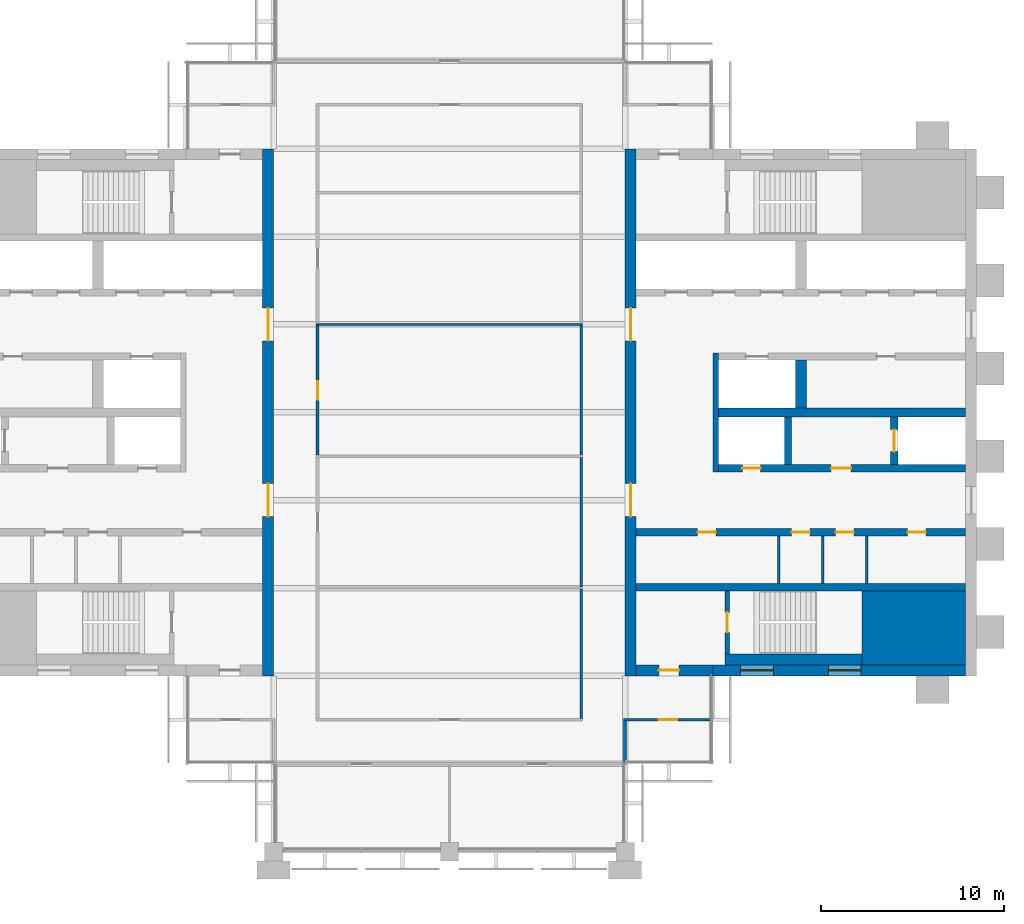
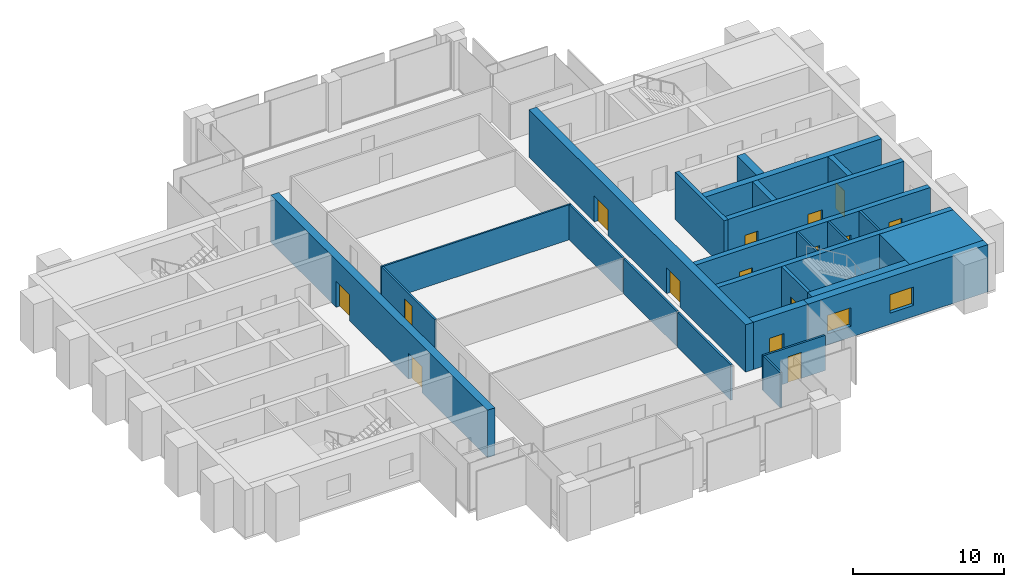
# One storey, part 9 of 12: 25 walls, 15 doors, 2 windows, 17 openings.
"""IFC4 building model written with IfcOpenShell, lengths in metres."""

from ifc_helpers import new_model, si_unit, direction, frame, frame_2d, origin, place, context, subcontext, project, spatial, rectangle, extrude, material, layer, layer_set, type_object, element, fill, save


model = new_model("IFC4")

# Units and contexts
model_context = context("Model", 3, precision=1e-05, world=origin(), true_north=direction((0.0, 1.0)))
body_context = subcontext(model_context, "Body", "Model", "MODEL_VIEW")
ifc_project = project(units=[si_unit("LENGTHUNIT", "METRE"), si_unit("AREAUNIT", "SQUARE_METRE"), si_unit("VOLUMEUNIT", "CUBIC_METRE"), si_unit("PLANEANGLEUNIT", "RADIAN"), si_unit("MASSUNIT", "GRAM", prefix="KILO")], contexts=[model_context])

# Site, building, storey
site_placement = place(None, origin())
site = spatial("IfcSite", under=ifc_project, at=site_placement, CompositionType="ELEMENT")
building_placement = place(site_placement, origin())
building = spatial("IfcBuilding", under=site, at=building_placement, Name="Baori Bourse Tower", CompositionType="ELEMENT")
storey_placement = place(building_placement, frame((0.0, 0.0, 322.300048828125)))
storey = spatial("IfcBuildingStorey", under=building, at=storey_placement, Name="L71", CompositionType="ELEMENT", Elevation=322.300048828125)

# Walls
ifc_material_1 = material(Name="Concrete f'c 40 MPa", Category="concrete")
wall_type_1 = type_object("IfcWallType", Name="Core corner block f'c 40", PredefinedType="SHEAR", material=ifc_material_1)
wall_1_placement = place(storey_placement, frame((51.35009765625, 12.22509765625, 0.0), z_axis=(0.0, 0.0, 1.0), x_axis=(1.0, 0.0, 0.0)))
element("IfcWall", 1, at=wall_1_placement, inside=storey, type_object=wall_type_1, Name="Core wall E05", PredefinedType="SHEAR", context=body_context, shape_type="SweptSolid", body=[
    extrude(rectangle(XDim=5.64990234375, YDim=4.050048828125, at=frame_2d((2.824951171875, 0.0))), origin(), (0.0, 0.0, 1.0), 3.83984375),
])
ifc_material_2 = material(Name="Blockwork partition", Category="masonry")
ifc_layer_1 = layer(ifc_material_2, 0.14990234375)
ifc_layer_set_1 = layer_set([ifc_layer_1], Name="Core partition 150")
wall_type_2 = type_object("IfcWallType", Name="Core partition 150", PredefinedType="PARTITIONING", material=ifc_layer_set_1)
for number, where, z_axis, x_axis, name in (
    (2, (51.60009765625, 14.64990234375, 0.0), (0.0, 0.0, 1.0), (0.0, 1.0, 0.0), "Partition wall E09"),
    (3, (49.199951171875, 14.64990234375, 0.0), (0.0, 0.0, 1.0), (0.0, 1.0, 0.0), "Partition wall E10"),
    (4, (46.800048828125, 14.64990234375, 0.0), (0.0, 0.0, 1.0), (0.0, 1.0, 0.0), "Partition wall E11"),
):
    element("IfcWall", number, at=place(storey_placement, frame(where, z_axis=z_axis, x_axis=x_axis)), inside=storey, type_object=wall_type_2, Name=name, PredefinedType="PARTITIONING", context=body_context, shape_type="SweptSolid", body=[
        extrude(rectangle(XDim=2.60009765625, YDim=0.14990234375, at=frame_2d((1.300048828125, 0.0))), origin(), (0.0, 0.0, 1.0), 3.83984375),
    ])

# Wall, openings, doors
ifc_material_3 = material(Name="Concrete f'c 40 MPa", Category="concrete")
ifc_layer_2 = layer(ifc_material_3, 0.60009765625)
ifc_layer_set_2 = layer_set([ifc_layer_2], Name="Core wall 600 f'c 40")
wall_type_3 = type_object("IfcWallType", Name="Core wall 600 f'c 40", PredefinedType="SHEAR", material=ifc_layer_set_2)
wall_2_placement = place(storey_placement, frame((18.89990234375, 38.39990234375, 0.0), z_axis=(0.0, 0.0, 1.0), x_axis=(0.0, -1.0, 0.0)))
wall_2 = element("IfcWall", 5, at=wall_2_placement, inside=storey, type_object=wall_type_3, Name="Core wall W04", PredefinedType="SHEAR", context=body_context, shape_type="SweptSolid", body=[
    extrude(rectangle(XDim=28.7998046875, YDim=0.60009765625, at=frame_2d((14.39990234375, 0.0))), origin(), (0.0, 0.0, 1.0), 3.83984375),
])
opening_1_placement = place(wall_2_placement, frame((18.300048828125, 0.0, 0.0)))
opening_1 = element("IfcOpeningElement", 6, at=opening_1_placement, cuts=wall_2, Name="Opening L71-D107", PredefinedType="OPENING", context=body_context, shape_type="SweptSolid", body=[
    extrude(rectangle(XDim=1.800048828125, YDim=2.10009765625, at=frame_2d((0.89990234375, 1.050048828125))), frame((0.0, 0.31005859375, 0.0), z_axis=(0.0, -1.0, 0.0), x_axis=(1.0, 0.0, 0.0)), (0.0, 0.0, 1.0), 0.6201171875),
])
opening_2_placement = place(wall_2_placement, frame((8.699951171875, 0.0, 0.0)))
opening_2 = element("IfcOpeningElement", 7, at=opening_2_placement, cuts=wall_2, Name="Opening L71-D108", PredefinedType="OPENING", context=body_context, shape_type="SweptSolid", body=[
    extrude(rectangle(XDim=1.800048828125, YDim=2.10009765625, at=frame_2d((0.89990234375, 1.050048828125))), frame((0.0, 0.31005859375, 0.0), z_axis=(0.0, -1.0, 0.0), x_axis=(1.0, 0.0, 0.0)), (0.0, 0.0, 1.0), 0.6201171875),
])
ifc_material_4 = material(Name="Painted steel door", Category="steel")
door_type_1 = type_object("IfcDoorType", Name="Core lobby door 1800", OperationType="DOUBLE_DOOR_SINGLE_SWING", PredefinedType="DOOR", material=ifc_material_4)
door_1_placement = place(opening_1_placement, origin())
door_1 = element("IfcDoor", 8, at=door_1_placement, inside=storey, type_object=door_type_1, Name="Lobby door W L71", OperationType="DOUBLE_DOOR_SINGLE_SWING", OverallHeight=2.10009765625, OverallWidth=1.800048828125, PredefinedType="DOOR", context=body_context, shape_type="SweptSolid", body=[
    extrude(rectangle(XDim=1.800048828125, YDim=2.10009765625, at=frame_2d((0.89990234375, 1.050048828125))), frame((0.0, 0.02490234375, 0.0), z_axis=(0.0, -1.0, 0.0), x_axis=(1.0, 0.0, 0.0)), (0.0, 0.0, 1.0), 0.050048828125),
])
fill(opening_1, door_1)
door_2_placement = place(opening_2_placement, origin())
door_2 = element("IfcDoor", 9, at=door_2_placement, inside=storey, type_object=door_type_1, Name="Lobby door W L71", OperationType="DOUBLE_DOOR_SINGLE_SWING", OverallHeight=2.10009765625, OverallWidth=1.800048828125, PredefinedType="DOOR", context=body_context, shape_type="SweptSolid", body=[
    extrude(rectangle(XDim=1.800048828125, YDim=2.10009765625, at=frame_2d((0.89990234375, 1.050048828125))), frame((0.0, 0.02490234375, 0.0), z_axis=(0.0, -1.0, 0.0), x_axis=(1.0, 0.0, 0.0)), (0.0, 0.0, 1.0), 0.050048828125),
])
fill(opening_2, door_2)

# Wall, openings, windows
wall_3_placement = place(storey_placement, frame((57.0, 9.89990234375, 0.0), z_axis=(0.0, 0.0, 1.0), x_axis=(-1.0, 0.0, 0.0)))
wall_3 = element("IfcWall", 10, at=wall_3_placement, inside=storey, type_object=wall_type_3, Name="Core wall E02", PredefinedType="SHEAR", context=body_context, shape_type="SweptSolid", body=[
    extrude(rectangle(XDim=13.800048828125, YDim=0.60009765625, at=frame_2d((6.89990234375, 0.0))), origin(), (0.0, 0.0, 1.0), 3.83984375),
])
opening_3_placement = place(wall_3_placement, frame((5.699951171875, 0.0, 0.89990234375)))
opening_3 = element("IfcOpeningElement", 11, at=opening_3_placement, cuts=wall_3, Name="Opening L71-KW203", PredefinedType="OPENING", context=body_context, shape_type="SweptSolid", body=[
    extrude(rectangle(XDim=1.800048828125, YDim=1.5, at=frame_2d((0.89990234375, 0.75))), frame((0.0, 0.31005859375, 0.0), z_axis=(0.0, -1.0, 0.0), x_axis=(1.0, 0.0, 0.0)), (0.0, 0.0, 1.0), 0.6201171875),
])
opening_4_placement = place(wall_3_placement, frame((10.5, 0.0, 0.89990234375)))
opening_4 = element("IfcOpeningElement", 12, at=opening_4_placement, cuts=wall_3, Name="Opening L71-KW204", PredefinedType="OPENING", context=body_context, shape_type="SweptSolid", body=[
    extrude(rectangle(XDim=1.800048828125, YDim=1.5, at=frame_2d((0.89990234375, 0.75))), frame((0.0, 0.31005859375, 0.0), z_axis=(0.0, -1.0, 0.0), x_axis=(1.0, 0.0, 0.0)), (0.0, 0.0, 1.0), 0.6201171875),
])
ifc_material_5 = material(Name="Pale anodised aluminium", Category="aluminium")
window_type = type_object("IfcWindowType", Name="Stair window 1800 x 1500", PartitioningType="SINGLE_PANEL", PredefinedType="WINDOW", material=ifc_material_5)
window_1_placement = place(opening_3_placement, origin())
window_1 = element("IfcWindow", 13, at=window_1_placement, inside=storey, type_object=window_type, Name="Stair window E L71 3", OverallHeight=1.5, OverallWidth=1.800048828125, PartitioningType="SINGLE_PANEL", PredefinedType="WINDOW", context=body_context, shape_type="SweptSolid", body=[
    extrude(rectangle(XDim=1.800048828125, YDim=1.5, at=frame_2d((0.89990234375, 0.75))), frame((0.0, 0.030029296875, 0.0), z_axis=(0.0, -1.0, 0.0), x_axis=(1.0, 0.0, 0.0)), (0.0, 0.0, 1.0), 0.06005859375),
])
fill(opening_3, window_1)
window_2_placement = place(opening_4_placement, origin())
window_2 = element("IfcWindow", 14, at=window_2_placement, inside=storey, type_object=window_type, Name="Stair window E L71 4", OverallHeight=1.5, OverallWidth=1.800048828125, PartitioningType="SINGLE_PANEL", PredefinedType="WINDOW", context=body_context, shape_type="SweptSolid", body=[
    extrude(rectangle(XDim=1.800048828125, YDim=1.5, at=frame_2d((0.89990234375, 0.75))), frame((0.0, 0.030029296875, 0.0), z_axis=(0.0, -1.0, 0.0), x_axis=(1.0, 0.0, 0.0)), (0.0, 0.0, 1.0), 0.06005859375),
])
fill(opening_4, window_2)

# Wall, opening, door
wall_4_placement = place(storey_placement, frame((43.199951171875, 9.89990234375, 0.0), z_axis=(0.0, 0.0, 1.0), x_axis=(-1.0, 0.0, 0.0)))
wall_4 = element("IfcWall", 15, at=wall_4_placement, inside=storey, type_object=wall_type_3, Name="Core wall E03", PredefinedType="SHEAR", context=body_context, shape_type="SweptSolid", body=[
    extrude(rectangle(XDim=4.199951171875, YDim=0.60009765625, at=frame_2d((2.10009765625, 0.0))), origin(), (0.0, 0.0, 1.0), 3.83984375),
])
opening_5_placement = place(wall_4_placement, frame((1.85009765625, 0.0, 0.0)))
opening_5 = element("IfcOpeningElement", 16, at=opening_5_placement, cuts=wall_4, Name="Opening L71-D202", PredefinedType="OPENING", context=body_context, shape_type="SweptSolid", body=[
    extrude(rectangle(XDim=1.10009765625, YDim=2.10009765625, at=frame_2d((0.550048828125, 1.050048828125))), frame((0.0, 0.31005859375, 0.0), z_axis=(0.0, -1.0, 0.0), x_axis=(1.0, 0.0, 0.0)), (0.0, 0.0, 1.0), 0.6201171875),
])
ifc_material_6 = material(Name="Painted steel door", Category="steel")
door_type_2 = type_object("IfcDoorType", Name="Stair door 1100", OperationType="SINGLE_SWING_LEFT", PredefinedType="DOOR", material=ifc_material_6)
door_3_placement = place(opening_5_placement, origin())
door_3 = element("IfcDoor", 17, at=door_3_placement, inside=storey, type_object=door_type_2, Name="Stair vestibule door A E L71", OperationType="SINGLE_SWING_LEFT", OverallHeight=2.10009765625, OverallWidth=1.10009765625, PredefinedType="DOOR", context=body_context, shape_type="SweptSolid", body=[
    extrude(rectangle(XDim=1.10009765625, YDim=2.10009765625, at=frame_2d((0.550048828125, 1.050048828125))), frame((0.0, 0.02490234375, 0.0), z_axis=(0.0, -1.0, 0.0), x_axis=(1.0, 0.0, 0.0)), (0.0, 0.0, 1.0), 0.050048828125),
])
fill(opening_5, door_3)

# Wall, openings, doors
wall_5_placement = place(storey_placement, frame((38.699951171875, 9.60009765625, 0.0), z_axis=(0.0, 0.0, 1.0), x_axis=(0.0, 1.0, 0.0)))
wall_5 = element("IfcWall", 18, at=wall_5_placement, inside=storey, type_object=wall_type_3, Name="Core wall E04", PredefinedType="SHEAR", context=body_context, shape_type="SweptSolid", body=[
    extrude(rectangle(XDim=28.7998046875, YDim=0.60009765625, at=frame_2d((14.39990234375, 0.0))), origin(), (0.0, 0.0, 1.0), 3.83984375),
])
opening_6_placement = place(wall_5_placement, frame((8.699951171875, 0.0, 0.0)))
opening_6 = element("IfcOpeningElement", 19, at=opening_6_placement, cuts=wall_5, Name="Opening L71-D207", PredefinedType="OPENING", context=body_context, shape_type="SweptSolid", body=[
    extrude(rectangle(XDim=1.800048828125, YDim=2.10009765625, at=frame_2d((0.89990234375, 1.050048828125))), frame((0.0, 0.31005859375, 0.0), z_axis=(0.0, -1.0, 0.0), x_axis=(1.0, 0.0, 0.0)), (0.0, 0.0, 1.0), 0.6201171875),
])
opening_7_placement = place(wall_5_placement, frame((18.300048828125, 0.0, 0.0)))
opening_7 = element("IfcOpeningElement", 20, at=opening_7_placement, cuts=wall_5, Name="Opening L71-D208", PredefinedType="OPENING", context=body_context, shape_type="SweptSolid", body=[
    extrude(rectangle(XDim=1.800048828125, YDim=2.10009765625, at=frame_2d((0.89990234375, 1.050048828125))), frame((0.0, 0.31005859375, 0.0), z_axis=(0.0, -1.0, 0.0), x_axis=(1.0, 0.0, 0.0)), (0.0, 0.0, 1.0), 0.6201171875),
])
door_4_placement = place(opening_6_placement, origin())
door_4 = element("IfcDoor", 21, at=door_4_placement, inside=storey, type_object=door_type_1, Name="Lobby door E L71", OperationType="DOUBLE_DOOR_SINGLE_SWING", OverallHeight=2.10009765625, OverallWidth=1.800048828125, PredefinedType="DOOR", context=body_context, shape_type="SweptSolid", body=[
    extrude(rectangle(XDim=1.800048828125, YDim=2.10009765625, at=frame_2d((0.89990234375, 1.050048828125))), frame((0.0, 0.02490234375, 0.0), z_axis=(0.0, -1.0, 0.0), x_axis=(1.0, 0.0, 0.0)), (0.0, 0.0, 1.0), 0.050048828125),
])
fill(opening_6, door_4)
door_5_placement = place(opening_7_placement, origin())
door_5 = element("IfcDoor", 22, at=door_5_placement, inside=storey, type_object=door_type_1, Name="Lobby door E L71", OperationType="DOUBLE_DOOR_SINGLE_SWING", OverallHeight=2.10009765625, OverallWidth=1.800048828125, PredefinedType="DOOR", context=body_context, shape_type="SweptSolid", body=[
    extrude(rectangle(XDim=1.800048828125, YDim=2.10009765625, at=frame_2d((0.89990234375, 1.050048828125))), frame((0.0, 0.02490234375, 0.0), z_axis=(0.0, -1.0, 0.0), x_axis=(1.0, 0.0, 0.0)), (0.0, 0.0, 1.0), 0.050048828125),
])
fill(opening_7, door_5)

# Wall, opening, door
ifc_material_7 = material(Name="Gypsum board partition")
ifc_layer_3 = layer(ifc_material_7, 0.14990234375)
ifc_layer_set_3 = layer_set([ifc_layer_3], Name="Corridor partition 150")
wall_type_4 = type_object("IfcWallType", Name="Corridor partition 150", PredefinedType="PARTITIONING", material=ifc_layer_set_3)
wall_6_placement = place(storey_placement, frame((38.324951171875, 7.199951171875, 0.0), z_axis=(0.0, 0.0, 1.0), x_axis=(1.0, 0.0, 0.0)))
wall_6 = element("IfcWall", 23, at=wall_6_placement, inside=storey, type_object=wall_type_4, Name="Partition", PredefinedType="PARTITIONING", context=body_context, shape_type="SweptSolid", body=[
    extrude(rectangle(XDim=4.775146484375, YDim=0.14990234375, at=frame_2d((2.3876953125, 0.0))), origin(), (0.0, 0.0, 1.0), 2.849365234375),
])
opening_8_placement = place(wall_6_placement, frame((1.925048828125, 0.0, 0.0)))
opening_8 = element("IfcOpeningElement", 24, at=opening_8_placement, cuts=wall_6, Name="Opening L71-D05", PredefinedType="OPENING", context=body_context, shape_type="SweptSolid", body=[
    extrude(rectangle(XDim=1.0, YDim=2.10009765625, at=frame_2d((0.5, 1.050048828125))), frame((0.0, 0.0849609375, 0.0), z_axis=(0.0, -1.0, 0.0), x_axis=(1.0, 0.0, 0.0)), (0.0, 0.0, 1.0), 0.169921875),
])
ifc_material_8 = material(Name="Timber door leaf", Category="wood")
door_type_3 = type_object("IfcDoorType", Name="Door 1000 x 2100", OperationType="SINGLE_SWING_LEFT", PredefinedType="DOOR", material=ifc_material_8)
door_6_placement = place(opening_8_placement, origin())
door_6 = element("IfcDoor", 25, at=door_6_placement, inside=storey, type_object=door_type_3, Name="Door", OperationType="SINGLE_SWING_RIGHT", OverallHeight=2.10009765625, OverallWidth=1.0, PredefinedType="DOOR", context=body_context, shape_type="SweptSolid", body=[
    extrude(rectangle(XDim=1.0, YDim=2.10009765625, at=frame_2d((0.5, 1.050048828125))), frame((0.0, 0.02490234375, 0.0), z_axis=(0.0, -1.0, 0.0), x_axis=(1.0, 0.0, 0.0)), (0.0, 0.0, 1.0), 0.050048828125),
])
fill(opening_8, door_6)

wall_7_placement = place(storey_placement, frame((21.60009765625, 21.66259765625, 0.0), z_axis=(0.0, 0.0, 1.0), x_axis=(0.0, 1.0, 0.0)))
wall_7 = element("IfcWall", 26, at=wall_7_placement, inside=storey, type_object=wall_type_4, Name="Partition", PredefinedType="PARTITIONING", context=body_context, shape_type="SweptSolid", body=[
    extrude(rectangle(XDim=7.074951171875, YDim=0.14990234375, at=frame_2d((3.53759765625, 0.0))), origin(), (0.0, 0.0, 1.0), 2.849365234375),
])
opening_9_placement = place(wall_7_placement, frame((3.03759765625, 0.0, 0.0)))
opening_9 = element("IfcOpeningElement", 27, at=opening_9_placement, cuts=wall_7, Name="Opening L71-D11", PredefinedType="OPENING", context=body_context, shape_type="SweptSolid", body=[
    extrude(rectangle(XDim=1.0, YDim=2.10009765625, at=frame_2d((0.5, 1.050048828125))), frame((0.0, 0.0849609375, 0.0), z_axis=(0.0, -1.0, 0.0), x_axis=(1.0, 0.0, 0.0)), (0.0, 0.0, 1.0), 0.169921875),
])
door_7_placement = place(opening_9_placement, origin())
door_7 = element("IfcDoor", 28, at=door_7_placement, inside=storey, type_object=door_type_3, Name="Door", OperationType="SINGLE_SWING_LEFT", OverallHeight=2.10009765625, OverallWidth=1.0, PredefinedType="DOOR", context=body_context, shape_type="SweptSolid", body=[
    extrude(rectangle(XDim=1.0, YDim=2.10009765625, at=frame_2d((0.5, 1.050048828125))), frame((0.0, 0.02490234375, 0.0), z_axis=(0.0, -1.0, 0.0), x_axis=(1.0, 0.0, 0.0)), (0.0, 0.0, 1.0), 0.050048828125),
])
fill(opening_9, door_7)

# Walls
wall_8_placement = place(storey_placement, frame((36.0, 7.27490234375, 0.0), z_axis=(0.0, 0.0, 1.0), x_axis=(0.0, 1.0, 0.0)))
element("IfcWall", 29, at=wall_8_placement, inside=storey, type_object=wall_type_4, Name="Partition", PredefinedType="PARTITIONING", context=body_context, shape_type="SweptSolid", body=[
    extrude(rectangle(XDim=7.0625, YDim=0.14990234375, at=frame_2d((3.53125, 0.0))), origin(), (0.0, 0.0, 1.0), 2.849365234375),
])
wall_9_placement = place(storey_placement, frame((36.0, 14.46240234375, 0.0), z_axis=(0.0, 0.0, 1.0), x_axis=(0.0, 1.0, 0.0)))
element("IfcWall", 30, at=wall_9_placement, inside=storey, type_object=wall_type_4, Name="Partition", PredefinedType="PARTITIONING", context=body_context, shape_type="SweptSolid", body=[
    extrude(rectangle(XDim=7.0751953125, YDim=0.14990234375, at=frame_2d((3.53759765625, 0.0))), origin(), (0.0, 0.0, 1.0), 2.849365234375),
])
wall_10_placement = place(storey_placement, frame((36.0, 21.66259765625, 0.0), z_axis=(0.0, 0.0, 1.0), x_axis=(0.0, 1.0, 0.0)))
element("IfcWall", 31, at=wall_10_placement, inside=storey, type_object=wall_type_4, Name="Partition", PredefinedType="PARTITIONING", context=body_context, shape_type="SweptSolid", body=[
    extrude(rectangle(XDim=7.074951171875, YDim=0.14990234375, at=frame_2d((3.53759765625, 0.0))), origin(), (0.0, 0.0, 1.0), 2.849365234375),
])
wall_11_placement = place(storey_placement, frame((38.39990234375, 4.875, 0.0), z_axis=(0.0, 0.0, 1.0), x_axis=(0.0, 1.0, 0.0)))
element("IfcWall", 32, at=wall_11_placement, inside=storey, type_object=wall_type_4, Name="Partition", PredefinedType="PARTITIONING", context=body_context, shape_type="SweptSolid", body=[
    extrude(rectangle(XDim=2.25, YDim=0.14990234375, at=frame_2d((1.125, 0.0))), origin(), (0.0, 0.0, 1.0), 2.849365234375),
])
ifc_material_9 = material(Name="Gypsum board partition")
ifc_layer_4 = layer(ifc_material_9, 0.125)
ifc_layer_set_4 = layer_set([ifc_layer_4], Name="Partition 125")
wall_type_5 = type_object("IfcWallType", Name="Partition 125", PredefinedType="PARTITIONING", material=ifc_layer_set_4)
wall_12_placement = place(storey_placement, frame((21.52490234375, 28.800048828125, 0.0), z_axis=(0.0, 0.0, 1.0), x_axis=(1.0, 0.0, 0.0)))
element("IfcWall", 33, at=wall_12_placement, inside=storey, type_object=wall_type_5, Name="Partition", PredefinedType="PARTITIONING", context=body_context, shape_type="SweptSolid", body=[
    extrude(rectangle(XDim=14.550048828125, YDim=0.125, at=frame_2d((7.27490234375, 0.0))), origin(), (0.0, 0.0, 1.0), 2.849365234375),
])

# Wall, opening, door
ifc_material_10 = material(Name="Concrete f'c 40 MPa", Category="concrete")
ifc_layer_5 = layer(ifc_material_10, 0.25)
ifc_layer_set_5 = layer_set([ifc_layer_5], Name="Shaft wall 250 f'c 40")
wall_type_6 = type_object("IfcWallType", Name="Shaft wall 250 f'c 40", PredefinedType="SHEAR", material=ifc_layer_set_5)
wall_13_placement = place(storey_placement, frame((43.97509765625, 10.800048828125, 0.0), z_axis=(0.0, 0.0, 1.0), x_axis=(0.0, 1.0, 0.0)))
wall_13 = element("IfcWall", 34, at=wall_13_placement, inside=storey, type_object=wall_type_6, Name="Core wall E07", PredefinedType="SHEAR", context=body_context, shape_type="SweptSolid", body=[
    extrude(rectangle(XDim=3.449951171875, YDim=0.25, at=frame_2d((1.72509765625, 0.0))), origin(), (0.0, 0.0, 1.0), 3.83984375),
])
opening_10_placement = place(wall_13_placement, frame((1.175048828125, 0.0, 0.0)))
opening_10 = element("IfcOpeningElement", 35, at=opening_10_placement, cuts=wall_13, Name="Opening L71-D201", PredefinedType="OPENING", context=body_context, shape_type="SweptSolid", body=[
    extrude(rectangle(XDim=1.10009765625, YDim=2.10009765625, at=frame_2d((0.550048828125, 1.050048828125))), frame((0.0, 0.135009765625, 0.0), z_axis=(0.0, -1.0, 0.0), x_axis=(1.0, 0.0, 0.0)), (0.0, 0.0, 1.0), 0.27001953125),
])
door_8_placement = place(opening_10_placement, origin())
door_8 = element("IfcDoor", 36, at=door_8_placement, inside=storey, type_object=door_type_2, Name="Stair door A E L71", OperationType="SINGLE_SWING_LEFT", OverallHeight=2.10009765625, OverallWidth=1.10009765625, PredefinedType="DOOR", context=body_context, shape_type="SweptSolid", body=[
    extrude(rectangle(XDim=1.10009765625, YDim=2.10009765625, at=frame_2d((0.550048828125, 1.050048828125))), frame((0.0, 0.02490234375, 0.0), z_axis=(0.0, -1.0, 0.0), x_axis=(1.0, 0.0, 0.0)), (0.0, 0.0, 1.0), 0.050048828125),
])
fill(opening_10, door_8)

# Walls
ifc_material_11 = material(Name="Concrete f'c 40 MPa", Category="concrete")
ifc_layer_6 = layer(ifc_material_11, 0.300048828125)
ifc_layer_set_6 = layer_set([ifc_layer_6], Name="Shaft wall 300 f'c 40")
wall_type_7 = type_object("IfcWallType", Name="Shaft wall 300 f'c 40", PredefinedType="SHEAR", material=ifc_layer_set_6)
wall_14_placement = place(storey_placement, frame((43.35009765625, 20.75, 0.0), z_axis=(0.0, 0.0, 1.0), x_axis=(0.0, 1.0, 0.0)))
element("IfcWall", 37, at=wall_14_placement, inside=storey, type_object=wall_type_7, Name="Core wall E14", PredefinedType="SHEAR", context=body_context, shape_type="SweptSolid", body=[
    extrude(rectangle(XDim=6.5, YDim=0.300048828125, at=frame_2d((3.25, 0.0))), origin(), (0.0, 0.0, 1.0), 3.83984375),
])
ifc_material_12 = material(Name="Concrete f'c 40 MPa", Category="concrete")
ifc_layer_7 = layer(ifc_material_12, 0.39990234375)
ifc_layer_set_7 = layer_set([ifc_layer_7], Name="Shaft wall 400 f'c 40")
wall_type_8 = type_object("IfcWallType", Name="Shaft wall 400 f'c 40", PredefinedType="SHEAR", material=ifc_layer_set_7)
wall_15_placement = place(storey_placement, frame((39.0, 14.449951171875, 0.0), z_axis=(0.0, 0.0, 1.0), x_axis=(1.0, 0.0, 0.0)))
element("IfcWall", 38, at=wall_15_placement, inside=storey, type_object=wall_type_8, Name="Core wall E08", PredefinedType="SHEAR", context=body_context, shape_type="SweptSolid", body=[
    extrude(rectangle(XDim=18.0, YDim=0.39990234375, at=frame_2d((9.0, 0.0))), origin(), (0.0, 0.0, 1.0), 3.83984375),
])

# Wall, openings, doors
wall_16_placement = place(storey_placement, frame((39.0, 17.449951171875, 0.0), z_axis=(0.0, 0.0, 1.0), x_axis=(1.0, 0.0, 0.0)))
wall_16 = element("IfcWall", 39, at=wall_16_placement, inside=storey, type_object=wall_type_8, Name="Core wall E12", PredefinedType="SHEAR", context=body_context, shape_type="SweptSolid", body=[
    extrude(rectangle(XDim=18.0, YDim=0.39990234375, at=frame_2d((9.0, 0.0))), origin(), (0.0, 0.0, 1.0), 3.83984375),
])
opening_11_placement = place(wall_16_placement, frame((14.83740234375, 0.0, 0.0)))
opening_11 = element("IfcOpeningElement", 40, at=opening_11_placement, cuts=wall_16, Name="Opening L71-D209", PredefinedType="OPENING", context=body_context, shape_type="SweptSolid", body=[
    extrude(rectangle(XDim=1.0, YDim=2.10009765625, at=frame_2d((0.5, 1.050048828125))), frame((0.0, 0.2099609375, 0.0), z_axis=(0.0, -1.0, 0.0), x_axis=(1.0, 0.0, 0.0)), (0.0, 0.0, 1.0), 0.419921875),
])
opening_12_placement = place(wall_16_placement, frame((10.89990234375, 0.0, 0.0)))
opening_12 = element("IfcOpeningElement", 41, at=opening_12_placement, cuts=wall_16, Name="Opening L71-D210", PredefinedType="OPENING", context=body_context, shape_type="SweptSolid", body=[
    extrude(rectangle(XDim=1.0, YDim=2.10009765625, at=frame_2d((0.5, 1.050048828125))), frame((0.0, 0.2099609375, 0.0), z_axis=(0.0, -1.0, 0.0), x_axis=(1.0, 0.0, 0.0)), (0.0, 0.0, 1.0), 0.419921875),
])
opening_13_placement = place(wall_16_placement, frame((8.5, 0.0, 0.0)))
opening_13 = element("IfcOpeningElement", 42, at=opening_13_placement, cuts=wall_16, Name="Opening L71-D211", PredefinedType="OPENING", context=body_context, shape_type="SweptSolid", body=[
    extrude(rectangle(XDim=1.0, YDim=2.10009765625, at=frame_2d((0.5, 1.050048828125))), frame((0.0, 0.2099609375, 0.0), z_axis=(0.0, -1.0, 0.0), x_axis=(1.0, 0.0, 0.0)), (0.0, 0.0, 1.0), 0.419921875),
])
opening_14_placement = place(wall_16_placement, frame((3.362548828125, 0.0, 0.0)))
opening_14 = element("IfcOpeningElement", 43, at=opening_14_placement, cuts=wall_16, Name="Opening L71-D212", PredefinedType="OPENING", context=body_context, shape_type="SweptSolid", body=[
    extrude(rectangle(XDim=1.0, YDim=2.10009765625, at=frame_2d((0.5, 1.050048828125))), frame((0.0, 0.2099609375, 0.0), z_axis=(0.0, -1.0, 0.0), x_axis=(1.0, 0.0, 0.0)), (0.0, 0.0, 1.0), 0.419921875),
])
ifc_material_13 = material(Name="Painted steel door", Category="steel")
door_type_4 = type_object("IfcDoorType", Name="Core door 1000", OperationType="SINGLE_SWING_LEFT", PredefinedType="DOOR", material=ifc_material_13)
door_9_placement = place(opening_11_placement, origin())
door_9 = element("IfcDoor", 44, at=door_9_placement, inside=storey, type_object=door_type_4, Name="Women'S Wc door E L71", OperationType="SINGLE_SWING_LEFT", OverallHeight=2.10009765625, OverallWidth=1.0, PredefinedType="DOOR", context=body_context, shape_type="SweptSolid", body=[
    extrude(rectangle(XDim=1.0, YDim=2.10009765625, at=frame_2d((0.5, 1.050048828125))), frame((0.0, 0.02490234375, 0.0), z_axis=(0.0, -1.0, 0.0), x_axis=(1.0, 0.0, 0.0)), (0.0, 0.0, 1.0), 0.050048828125),
])
fill(opening_11, door_9)
door_10_placement = place(opening_12_placement, origin())
door_10 = element("IfcDoor", 45, at=door_10_placement, inside=storey, type_object=door_type_4, Name="Accessible Wc door E L71", OperationType="SINGLE_SWING_LEFT", OverallHeight=2.10009765625, OverallWidth=1.0, PredefinedType="DOOR", context=body_context, shape_type="SweptSolid", body=[
    extrude(rectangle(XDim=1.0, YDim=2.10009765625, at=frame_2d((0.5, 1.050048828125))), frame((0.0, 0.02490234375, 0.0), z_axis=(0.0, -1.0, 0.0), x_axis=(1.0, 0.0, 0.0)), (0.0, 0.0, 1.0), 0.050048828125),
])
fill(opening_12, door_10)
door_11_placement = place(opening_14_placement, origin())
door_11 = element("IfcDoor", 46, at=door_11_placement, inside=storey, type_object=door_type_4, Name="Men'S Wc door E L71", OperationType="SINGLE_SWING_LEFT", OverallHeight=2.10009765625, OverallWidth=1.0, PredefinedType="DOOR", context=body_context, shape_type="SweptSolid", body=[
    extrude(rectangle(XDim=1.0, YDim=2.10009765625, at=frame_2d((0.5, 1.050048828125))), frame((0.0, 0.02490234375, 0.0), z_axis=(0.0, -1.0, 0.0), x_axis=(1.0, 0.0, 0.0)), (0.0, 0.0, 1.0), 0.050048828125),
])
fill(opening_14, door_11)
ifc_material_14 = material(Name="Painted steel door", Category="steel")
door_type_5 = type_object("IfcDoorType", Name="Plant room door 1000", OperationType="SINGLE_SWING_LEFT", PredefinedType="DOOR", material=ifc_material_14)
door_12_placement = place(opening_13_placement, origin())
door_12 = element("IfcDoor", 47, at=door_12_placement, inside=storey, type_object=door_type_5, Name="Plumbing Equipment Room door E L71", OperationType="SINGLE_SWING_LEFT", OverallHeight=2.10009765625, OverallWidth=1.0, PredefinedType="DOOR", context=body_context, shape_type="SweptSolid", body=[
    extrude(rectangle(XDim=1.0, YDim=2.10009765625, at=frame_2d((0.5, 1.050048828125))), frame((0.0, 0.02490234375, 0.0), z_axis=(0.0, -1.0, 0.0), x_axis=(1.0, 0.0, 0.0)), (0.0, 0.0, 1.0), 0.050048828125),
])
fill(opening_13, door_12)

wall_17_placement = place(storey_placement, frame((43.5, 20.949951171875, 0.0), z_axis=(0.0, 0.0, 1.0), x_axis=(1.0, 0.0, 0.0)))
wall_17 = element("IfcWall", 48, at=wall_17_placement, inside=storey, type_object=wall_type_8, Name="Core wall E13", PredefinedType="SHEAR", context=body_context, shape_type="SweptSolid", body=[
    extrude(rectangle(XDim=13.5, YDim=0.39990234375, at=frame_2d((6.75, 0.0))), origin(), (0.0, 0.0, 1.0), 3.83984375),
])
opening_15_placement = place(wall_17_placement, frame((6.14990234375, 0.0, 0.0)))
opening_15 = element("IfcOpeningElement", 49, at=opening_15_placement, cuts=wall_17, Name="Opening L71-D205", PredefinedType="OPENING", context=body_context, shape_type="SweptSolid", body=[
    extrude(rectangle(XDim=1.10009765625, YDim=2.10009765625, at=frame_2d((0.550048828125, 1.050048828125))), frame((0.0, 0.2099609375, 0.0), z_axis=(0.0, -1.0, 0.0), x_axis=(1.0, 0.0, 0.0)), (0.0, 0.0, 1.0), 0.419921875),
])
opening_16_placement = place(wall_17_placement, frame((1.300048828125, 0.0, 0.0)))
opening_16 = element("IfcOpeningElement", 50, at=opening_16_placement, cuts=wall_17, Name="Opening L71-D206", PredefinedType="OPENING", context=body_context, shape_type="SweptSolid", body=[
    extrude(rectangle(XDim=1.0, YDim=2.10009765625, at=frame_2d((0.5, 1.050048828125))), frame((0.0, 0.2099609375, 0.0), z_axis=(0.0, -1.0, 0.0), x_axis=(1.0, 0.0, 0.0)), (0.0, 0.0, 1.0), 0.419921875),
])
ifc_material_15 = material(Name="Painted steel door", Category="steel")
door_type_6 = type_object("IfcDoorType", Name="Lobby door 1100", OperationType="SINGLE_SWING_LEFT", PredefinedType="DOOR", material=ifc_material_15)
door_13_placement = place(opening_15_placement, origin())
door_13 = element("IfcDoor", 51, at=door_13_placement, inside=storey, type_object=door_type_6, Name="Firefighting lobby door E L71", OperationType="SINGLE_SWING_LEFT", OverallHeight=2.10009765625, OverallWidth=1.10009765625, PredefinedType="DOOR", context=body_context, shape_type="SweptSolid", body=[
    extrude(rectangle(XDim=1.10009765625, YDim=2.10009765625, at=frame_2d((0.550048828125, 1.050048828125))), frame((0.0, 0.02490234375, 0.0), z_axis=(0.0, -1.0, 0.0), x_axis=(1.0, 0.0, 0.0)), (0.0, 0.0, 1.0), 0.050048828125),
])
fill(opening_15, door_13)
ifc_material_16 = material(Name="Painted steel door", Category="steel")
door_type_7 = type_object("IfcDoorType", Name="Shaft door 1000", OperationType="SINGLE_SWING_LEFT", PredefinedType="DOOR", material=ifc_material_16)
door_14_placement = place(opening_16_placement, origin())
door_14 = element("IfcDoor", 52, at=door_14_placement, inside=storey, type_object=door_type_7, Name="Riser room door E L71", OperationType="SINGLE_SWING_LEFT", OverallHeight=2.10009765625, OverallWidth=1.0, PredefinedType="DOOR", context=body_context, shape_type="SweptSolid", body=[
    extrude(rectangle(XDim=1.0, YDim=2.10009765625, at=frame_2d((0.5, 1.050048828125))), frame((0.0, 0.02490234375, 0.0), z_axis=(0.0, -1.0, 0.0), x_axis=(1.0, 0.0, 0.0)), (0.0, 0.0, 1.0), 0.050048828125),
])
fill(opening_16, door_14)

# Wall, opening, door
wall_18_placement = place(storey_placement, frame((53.10009765625, 21.14990234375, 0.0), z_axis=(0.0, 0.0, 1.0), x_axis=(0.0, 1.0, 0.0)))
wall_18 = element("IfcWall", 53, at=wall_18_placement, inside=storey, type_object=wall_type_8, Name="Core wall E15", PredefinedType="SHEAR", context=body_context, shape_type="SweptSolid", body=[
    extrude(rectangle(XDim=2.60009765625, YDim=0.39990234375, at=frame_2d((1.300048828125, 0.0))), origin(), (0.0, 0.0, 1.0), 3.83984375),
])
opening_17_placement = place(wall_18_placement, frame((0.699951171875, 0.0, 0.0)))
opening_17 = element("IfcOpeningElement", 54, at=opening_17_placement, cuts=wall_18, Name="Opening L71-D221", PredefinedType="OPENING", context=body_context, shape_type="SweptSolid", body=[
    extrude(rectangle(XDim=1.199951171875, YDim=2.10009765625, at=frame_2d((0.60009765625, 1.050048828125))), frame((0.0, 0.2099609375, 0.0), z_axis=(0.0, -1.0, 0.0), x_axis=(1.0, 0.0, 0.0)), (0.0, 0.0, 1.0), 0.419921875),
])
ifc_material_17 = material(Name="Stainless steel door", Category="steel")
door_type_8 = type_object("IfcDoorType", Name="Lift landing door", OperationType="DOUBLE_DOOR_SLIDING", PredefinedType="DOOR", material=ifc_material_17)
door_15_placement = place(opening_17_placement, origin())
door_15 = element("IfcDoor", 55, at=door_15_placement, inside=storey, type_object=door_type_8, Name="Lift landing door FF2 E L71", OperationType="DOUBLE_DOOR_SLIDING", OverallHeight=2.10009765625, OverallWidth=1.199951171875, PredefinedType="DOOR", context=body_context, shape_type="SweptSolid", body=[
    extrude(rectangle(XDim=1.199951171875, YDim=2.10009765625, at=frame_2d((0.60009765625, 1.050048828125))), frame((0.0, 0.02490234375, 0.0), z_axis=(0.0, -1.0, 0.0), x_axis=(1.0, 0.0, 0.0)), (0.0, 0.0, 1.0), 0.050048828125),
])
fill(opening_17, door_15)

# Walls
wall_19_placement = place(storey_placement, frame((47.300048828125, 21.14990234375, 0.0), z_axis=(0.0, 0.0, 1.0), x_axis=(0.0, 1.0, 0.0)))
element("IfcWall", 56, at=wall_19_placement, inside=storey, type_object=wall_type_8, Name="Core wall E16", PredefinedType="SHEAR", context=body_context, shape_type="SweptSolid", body=[
    extrude(rectangle(XDim=2.60009765625, YDim=0.39990234375, at=frame_2d((1.300048828125, 0.0))), origin(), (0.0, 0.0, 1.0), 3.83984375),
])
ifc_material_18 = material(Name="Concrete f'c 40 MPa", Category="concrete")
ifc_layer_8 = layer(ifc_material_18, 0.5)
ifc_layer_set_8 = layer_set([ifc_layer_8], Name="Shaft wall 500 f'c 40")
wall_type_9 = type_object("IfcWallType", Name="Shaft wall 500 f'c 40", PredefinedType="SHEAR", material=ifc_layer_set_8)
wall_20_placement = place(storey_placement, frame((43.5, 24.0, 0.0), z_axis=(0.0, 0.0, 1.0), x_axis=(1.0, 0.0, 0.0)))
element("IfcWall", 57, at=wall_20_placement, inside=storey, type_object=wall_type_9, Name="Core wall E17", PredefinedType="SHEAR", context=body_context, shape_type="SweptSolid", body=[
    extrude(rectangle(XDim=13.5, YDim=0.5, at=frame_2d((6.75, 0.0))), origin(), (0.0, 0.0, 1.0), 3.83984375),
])
ifc_material_19 = material(Name="Concrete f'c 40 MPa", Category="concrete")
ifc_layer_9 = layer(ifc_material_19, 0.60009765625)
ifc_layer_set_9 = layer_set([ifc_layer_9], Name="Shaft wall 600 f'c 40")
wall_type_10 = type_object("IfcWallType", Name="Shaft wall 600 f'c 40", PredefinedType="SHEAR", material=ifc_layer_set_9)
wall_21_placement = place(storey_placement, frame((43.85009765625, 10.5, 0.0), z_axis=(0.0, 0.0, 1.0), x_axis=(1.0, 0.0, 0.0)))
element("IfcWall", 58, at=wall_21_placement, inside=storey, type_object=wall_type_10, Name="Core wall E06", PredefinedType="SHEAR", context=body_context, shape_type="SweptSolid", body=[
    extrude(rectangle(XDim=7.5, YDim=0.60009765625, at=frame_2d((3.75, 0.0))), origin(), (0.0, 0.0, 1.0), 3.83984375),
])
wall_22_placement = place(storey_placement, frame((48.0, 24.25, 0.0), z_axis=(0.0, 0.0, 1.0), x_axis=(0.0, 1.0, 0.0)))
element("IfcWall", 59, at=wall_22_placement, inside=storey, type_object=wall_type_10, Name="Core wall E18", PredefinedType="SHEAR", context=body_context, shape_type="SweptSolid", body=[
    extrude(rectangle(XDim=2.60009765625, YDim=0.60009765625, at=frame_2d((1.300048828125, 0.0))), origin(), (0.0, 0.0, 1.0), 3.83984375),
])

save(model, "model.ifc")
